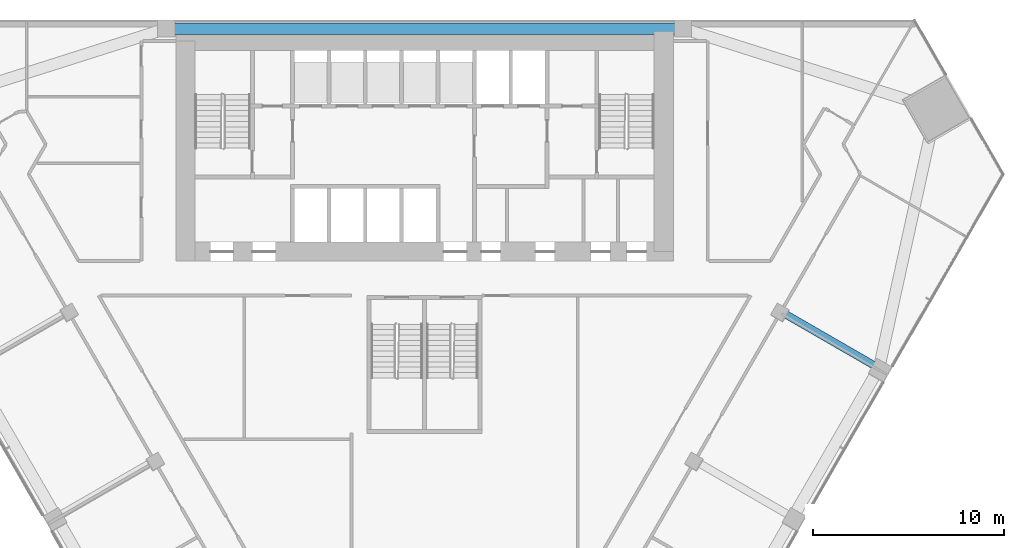
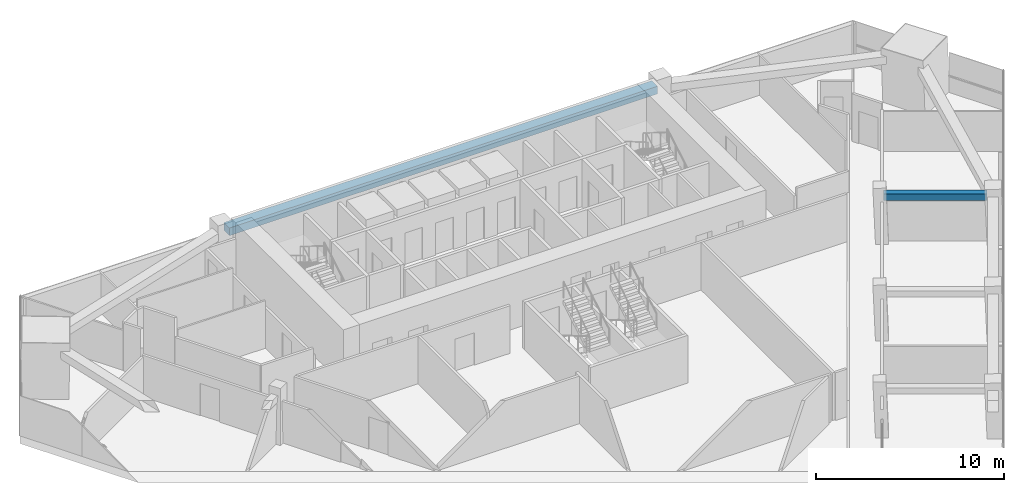
# One storey, part 6 of 13: 2 beams.
"""IFC4 building model written with IfcOpenShell, lengths in metres."""

from ifc_helpers import new_model, si_unit, direction, frame, origin, origin_2d, place, context, subcontext, project, spatial, rectangle, extrude, material, material_profile, profile_set, type_object, element, save


model = new_model("IFC4")

# Units and contexts
model_context = context("Model", 3, precision=1e-05, world=origin(), true_north=direction((0.0, 1.0)))
body_context = subcontext(model_context, "Body", "Model", "MODEL_VIEW")
ifc_project = project(units=[si_unit("LENGTHUNIT", "METRE"), si_unit("AREAUNIT", "SQUARE_METRE"), si_unit("VOLUMEUNIT", "CUBIC_METRE"), si_unit("PLANEANGLEUNIT", "RADIAN"), si_unit("MASSUNIT", "GRAM", prefix="KILO")], contexts=[model_context])

# Site, building, storey
site_placement = place(None, origin())
site = spatial("IfcSite", under=ifc_project, at=site_placement, CompositionType="ELEMENT")
building_placement = place(site_placement, origin())
building = spatial("IfcBuilding", under=site, at=building_placement, Name="Altiplano Prism Tower", CompositionType="ELEMENT")
storey_placement = place(building_placement, frame((0.0, 0.0, 59.39990234375)))
storey = spatial("IfcBuildingStorey", under=building, at=storey_placement, Name="L14", CompositionType="ELEMENT", Elevation=59.39990234375)

# Beams
ifc_material = material(Name="Concrete C60/75", Category="concrete")
ifc_material_profile_1 = material_profile(ifc_material, rectangle(XDim=0.60009765625, YDim=0.5, at=origin_2d()), Name="Edge beam 600x500")
ifc_profile_set_1 = profile_set([ifc_material_profile_1], Name="Concrete C60/75")
beam_type_1 = type_object("IfcBeamType", Name="Edge beam 600x500", PredefinedType="SPANDREL", material=ifc_profile_set_1)
beam_1_placement = place(storey_placement, frame((98.169921875, 104.550048828125, 2.85009765625), z_axis=(-1.0, 0.0, 0.0), x_axis=(0.0, -1.0, 0.0)))
element("IfcBeam", 1, at=beam_1_placement, inside=storey, type_object=beam_type_1, Name="Edge beam P01-P04 L15", PredefinedType="SPANDREL", context=body_context, shape_type="SweptSolid", body=[
    extrude(rectangle(XDim=0.60009765625, YDim=0.5, at=origin_2d()), origin(), (0.0, 0.0, 1.0), 26.33984375),
])
ifc_material_profile_2 = material_profile(ifc_material, rectangle(XDim=0.39990234375, YDim=0.39990234375, at=origin_2d()), Name="Tie beam 400x400")
ifc_profile_set_2 = profile_set([ifc_material_profile_2], Name="Concrete C60/75")
beam_type_2 = type_object("IfcBeamType", Name="Tie beam 400x400", PredefinedType="BEAM", material=ifc_profile_set_2)
beam_2_placement = place(storey_placement, frame((103.70654296875, 89.7119140625, 2.900146484375), z_axis=(0.866023410697, -0.500003452112, 0.0), x_axis=(0.500003452112, 0.866023410697, 0.0)))
element("IfcBeam", 2, at=beam_2_placement, inside=storey, type_object=beam_type_2, Name="Tie beam I24 L15", PredefinedType="BEAM", context=body_context, shape_type="SweptSolid", body=[
    extrude(rectangle(XDim=0.39990234375, YDim=0.39990234375, at=origin_2d()), origin(), (0.0, 0.0, 1.0), 5.490234375),
])

save(model, "model.ifc")
